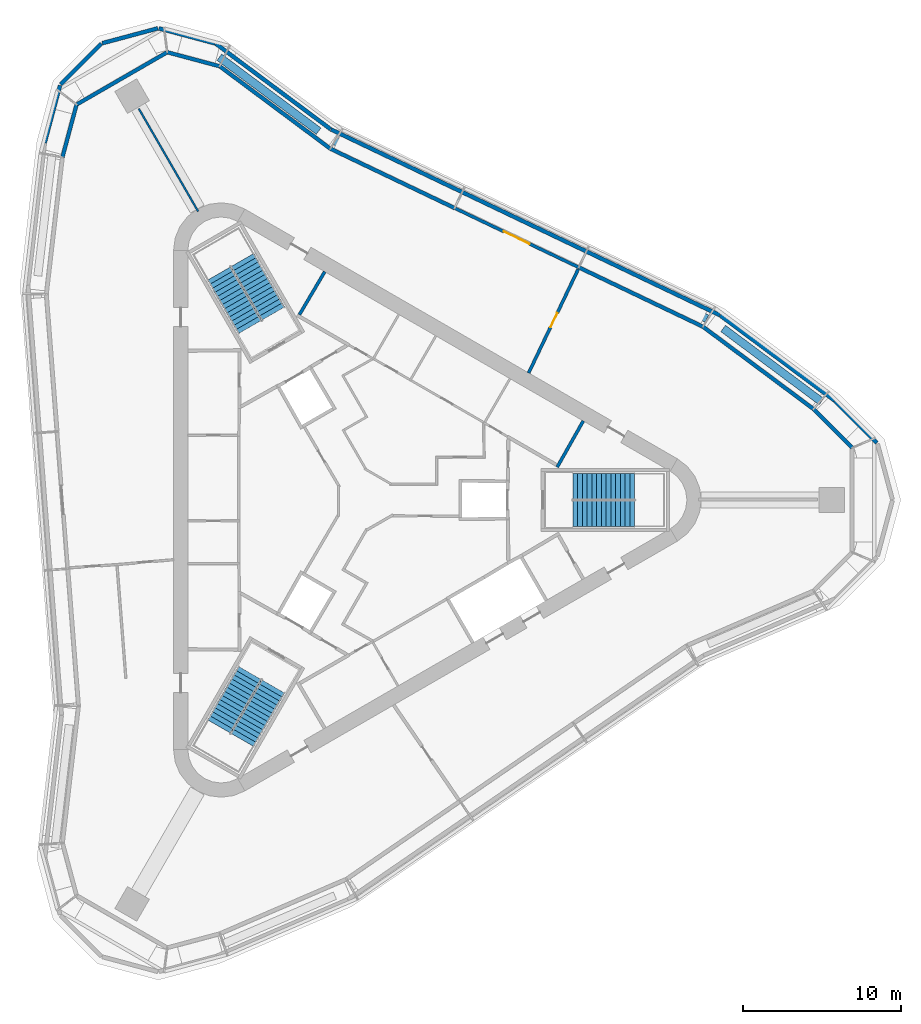
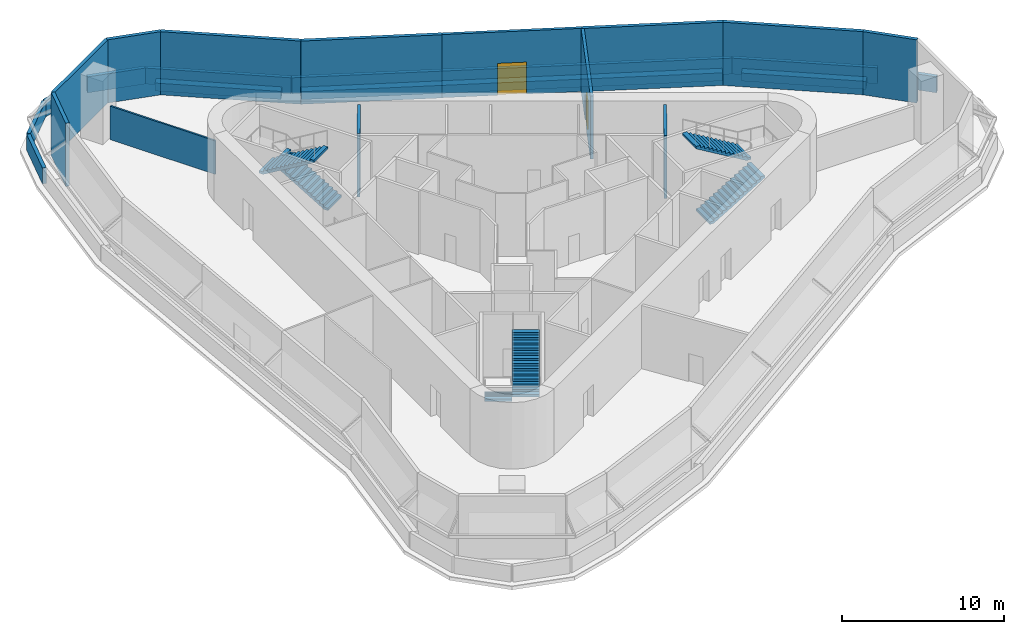
# One storey, part 7 of 8: 24 walls, 6 stair flights, 2 doors, 2 openings, 3 elements without a shape of their own.
"""IFC4 building model written with IfcOpenShell, lengths in metres."""

from ifc_helpers import new_model, si_unit, direction, frame, frame_2d, origin, place, context, subcontext, project, spatial, polyline, rectangle, outline, extrude, material, layer, layer_set, type_object, element, fill, aggregate, save


model = new_model("IFC4")

# Units and contexts
model_context = context("Model", 3, precision=1e-05, world=origin(), true_north=direction((0.0, 1.0)))
body_context = subcontext(model_context, "Body", "Model", "MODEL_VIEW")
ifc_project = project(units=[si_unit("LENGTHUNIT", "METRE"), si_unit("AREAUNIT", "SQUARE_METRE"), si_unit("VOLUMEUNIT", "CUBIC_METRE"), si_unit("PLANEANGLEUNIT", "RADIAN"), si_unit("MASSUNIT", "GRAM", prefix="KILO")], contexts=[model_context])

# Site, building, storey
site_placement = place(None, origin())
site = spatial("IfcSite", under=ifc_project, at=site_placement, CompositionType="ELEMENT")
building_placement = place(site_placement, origin())
building = spatial("IfcBuilding", under=site, at=building_placement, Name="Tanit Gate Tower", CompositionType="ELEMENT")
storey_placement = place(building_placement, frame((0.0, 0.0, 410.300048828125)))
storey = spatial("IfcBuildingStorey", under=building, at=storey_placement, Name="L93", CompositionType="ELEMENT", Elevation=410.300048828125)

# Wall, opening, door
ifc_material_1 = material(Name="Concrete C30/37 rendered", Category="concrete")
ifc_layer_1 = layer(ifc_material_1, 0.199951171875)
ifc_layer_set_1 = layer_set([ifc_layer_1], Name="Facade wall 200 rendered")
wall_type_1 = type_object("IfcWallType", Name="Facade wall 200 rendered", PredefinedType="SOLIDWALL", material=ifc_layer_set_1)
wall_1_placement = place(storey_placement, frame((13.46240234375, 14.68701171875, 0.0), z_axis=(0.0, 0.0, 1.0), x_axis=(-0.90232160158, 0.431063484098, 0.0)))
wall_1 = element("IfcWall", 1, at=wall_1_placement, inside=storey, type_object=wall_type_1, Name="Facade wall L93 NE2.2", PredefinedType="SOLIDWALL", context=body_context, shape_type="SweptSolid", body=[
    extrude(rectangle(XDim=8.661376953125, YDim=0.199951171875, at=frame_2d((4.33056640625, 0.0))), origin(), (0.0, 0.0, 1.0), 4.75),
])
opening_1_placement = place(wall_1_placement, frame((3.4306640625, 0.0, 0.0)))
opening_1 = element("IfcOpeningElement", 2, at=opening_1_placement, cuts=wall_1, Name="Opening D2", PredefinedType="OPENING", context=body_context, shape_type="SweptSolid", body=[
    extrude(rectangle(XDim=1.800048828125, YDim=2.39990234375, at=frame_2d((0.89990234375, 1.199951171875))), frame((0.0, 0.10986328125, 0.0), z_axis=(0.0, -1.0, 0.0), x_axis=(1.0, 0.0, 0.0)), (0.0, 0.0, 1.0), 0.219970703125),
])
ifc_material_2 = material(Name="Aluminium bronze anodised and glass", Category="aluminium")
door_type_1 = type_object("IfcDoorType", Name="Terrace door double 1800x2400", OperationType="DOUBLE_DOOR_SINGLE_SWING", PredefinedType="DOOR", material=ifc_material_2)
door_1_placement = place(opening_1_placement, frame((1.800048828125, 0.0, 0.0), z_axis=(0.0, 0.0, 1.0), x_axis=(-1.0, 0.0, 0.0)))
door_1 = element("IfcDoor", 3, at=door_1_placement, inside=storey, type_object=door_type_1, Name="Terrace door", OperationType="SINGLE_SWING_RIGHT", OverallHeight=2.39990234375, OverallWidth=1.800048828125, PredefinedType="DOOR", context=body_context, shape_type="SweptSolid", body=[
    extrude(rectangle(XDim=1.800048828125, YDim=2.39990234375, at=frame_2d((0.89990234375, 1.199951171875))), frame((0.0, 0.02490234375, 0.0), z_axis=(0.0, -1.0, 0.0), x_axis=(1.0, 0.0, 0.0)), (0.0, 0.0, 1.0), 0.050048828125),
])
fill(opening_1, door_1)

# Walls
ifc_material_3 = material(Name="Concrete C30/37 with bronze anodised aluminium cladding", Category="concrete")
ifc_layer_2 = layer(ifc_material_3, 0.239990234375)
ifc_layer_set_2 = layer_set([ifc_layer_2], Name="Facade wall bronze clad 240")
wall_type_2 = type_object("IfcWallType", Name="Facade wall bronze clad 240", PredefinedType="SOLIDWALL", material=ifc_layer_set_2)
wall_2_placement = place(storey_placement, frame((28.29150390625, 5.739013671875, 0.0), z_axis=(0.0, 0.0, 1.0), x_axis=(-0.801999064346, 0.597325288924, 0.0)))
element("IfcWall", 4, at=wall_2_placement, inside=storey, type_object=wall_type_2, Name="Bronze-clad facade wall L93 NE1", PredefinedType="SOLIDWALL", context=body_context, shape_type="SweptSolid", body=[
    extrude(rectangle(XDim=8.700439453125, YDim=0.239990234375, at=frame_2d((4.35009765625, 0.0))), origin(), (0.0, 0.0, 1.0), 4.75),
])
for number, where, z_axis, x_axis, name in (
    (5, (21.313720703125, 10.93603515625, 0.0), (0.0, 0.0, 1.0), (-0.902313153222, 0.431081168137, 0.0), "Bronze-clad facade wall L93 NE2a"),
    (6, (5.64697265625, 18.420654296875, 0.0), (0.0, 0.0, 1.0), (-0.902313153222, 0.431081168137, 0.0), "Bronze-clad facade wall L93 NE2b"),
):
    element("IfcWall", number, at=place(storey_placement, frame(where, z_axis=z_axis, x_axis=x_axis)), inside=storey, type_object=wall_type_2, Name=name, PredefinedType="SOLIDWALL", context=body_context, shape_type="SweptSolid", body=[
        extrude(rectangle(XDim=8.701416015625, YDim=0.239990234375, at=frame_2d((4.3505859375, 0.0))), origin(), (0.0, 0.0, 1.0), 4.75),
    ])
wall_3_placement = place(storey_placement, frame((-2.204345703125, 22.171630859375, 0.0), z_axis=(0.0, 0.0, 1.0), x_axis=(-0.801990253483, 0.597337118651, 0.0)))
element("IfcWall", 7, at=wall_3_placement, inside=storey, type_object=wall_type_2, Name="Bronze-clad facade wall L93 NE3", PredefinedType="SOLIDWALL", context=body_context, shape_type="SweptSolid", body=[
    extrude(rectangle(XDim=8.709716796875, YDim=0.239990234375, at=frame_2d((4.35498046875, 0.0))), origin(), (0.0, 0.0, 1.0), 4.75),
])
wall_4_placement = place(storey_placement, frame((-9.189453125, 27.374267578125, 0.0), z_axis=(0.0, 0.0, 1.0), x_axis=(-0.965922313032, 0.2588321564, 0.0)))
element("IfcWall", 8, at=wall_4_placement, inside=storey, type_object=wall_type_2, Name="Bronze-clad facade wall L93 NW.arc1", PredefinedType="SOLIDWALL", context=body_context, shape_type="SweptSolid", body=[
    extrude(rectangle(XDim=3.4296875, YDim=0.239990234375, at=frame_2d((1.71484375, 0.0))), origin(), (0.0, 0.0, 1.0), 4.75),
])
wall_5_placement = place(storey_placement, frame((-12.502197265625, 28.261962890625, 0.0), z_axis=(0.0, 0.0, 1.0), x_axis=(-0.866008373729, -0.500029495762, 0.0)))
element("IfcWall", 9, at=wall_5_placement, inside=storey, type_object=wall_type_2, Name="Bronze-clad facade wall L93 NW.arc2", PredefinedType="SOLIDWALL", context=body_context, shape_type="SweptSolid", body=[
    extrude(rectangle(XDim=6.607421875, YDim=0.239990234375, at=frame_2d((3.3037109375, 0.0))), origin(), (0.0, 0.0, 1.0), 4.75),
])
for number, where, z_axis, x_axis, name in (
    (10, (-18.224365234375, 24.9580078125, 0.0), (0.0, 0.0, 1.0), (-0.258831761554, -0.965922418836, 0.0), "Bronze-clad facade wall L93 NW.arc3"),
    (11, (30.7265625, 3.3037109375, 0.0), (0.0, 0.0, 1.0), (-0.707071334573, 0.707142226024, 0.0), "Bronze-clad facade wall L93 E.arc3"),
):
    element("IfcWall", number, at=place(storey_placement, frame(where, z_axis=z_axis, x_axis=x_axis)), inside=storey, type_object=wall_type_2, Name=name, PredefinedType="SOLIDWALL", context=body_context, shape_type="SweptSolid", body=[
        extrude(rectangle(XDim=3.44384765625, YDim=0.239990234375, at=frame_2d((1.721923828125, 0.0))), origin(), (0.0, 0.0, 1.0), 4.75),
    ])
ifc_material_4 = material(Name="Fire-rated gypsum board partition")
ifc_layer_3 = layer(ifc_material_4, 0.199951171875)
ifc_layer_set_3 = layer_set([ifc_layer_3], Name="INT-WALL-COMPARTMENT")
wall_type_3 = type_object("IfcWallType", Name="INT-WALL-COMPARTMENT", PredefinedType="PARTITIONING", material=ifc_layer_set_3)
wall_6_placement = place(storey_placement, frame((12.10986328125, 2.07275390625, 0.0), z_axis=(0.0, 0.0, 1.0), x_axis=(0.49196600604, 0.870614408852, 0.0)))
element("IfcWall", 12, at=wall_6_placement, inside=storey, type_object=wall_type_3, Name="Wall Compartment W045", PredefinedType="PARTITIONING", context=body_context, shape_type="SweptSolid", body=[
    extrude(rectangle(XDim=3.35009765625, YDim=0.199951171875, at=frame_2d((1.675048828125, 0.0))), origin(), (0.0, 0.0, 1.0), 4.75),
])
wall_7_placement = place(storey_placement, frame((-2.557861328125, 14.409423828125, 0.0), z_axis=(0.0, 0.0, 1.0), x_axis=(-0.508018930956, -0.861345903683, 0.0)))
element("IfcWall", 13, at=wall_7_placement, inside=storey, type_object=wall_type_3, Name="Wall Compartment W053", PredefinedType="PARTITIONING", context=body_context, shape_type="SweptSolid", body=[
    extrude(rectangle(XDim=3.150146484375, YDim=0.199951171875, at=frame_2d((1.5751953125, 0.0))), origin(), (0.0, 0.0, 1.0), 4.75),
])

# Wall, opening, door
wall_8_placement = place(storey_placement, frame((10.31005859375, 8.019287109375, 0.0), z_axis=(0.0, 0.0, 1.0), x_axis=(0.431086090509, 0.902310801537, 0.0)))
wall_8 = element("IfcWall", 14, at=wall_8_placement, inside=storey, type_object=wall_type_3, Name="Wall Compartment W091", PredefinedType="PARTITIONING", context=body_context, shape_type="SweptSolid", body=[
    extrude(rectangle(XDim=7.250244140625, YDim=0.199951171875, at=frame_2d((3.625, 0.0))), origin(), (0.0, 0.0, 1.0), 4.75),
])
opening_2_placement = place(wall_8_placement, frame((3.199951171875, 0.0, 0.0)))
opening_2 = element("IfcOpeningElement", 15, at=opening_2_placement, cuts=wall_8, Name="Opening F10-93-24", PredefinedType="OPENING", context=body_context, shape_type="SweptSolid", body=[
    extrude(rectangle(XDim=1.0, YDim=2.10009765625, at=frame_2d((0.5, 1.050048828125))), frame((0.0, 0.10986328125, 0.0), z_axis=(0.0, -1.0, 0.0), x_axis=(1.0, 0.0, 0.0)), (0.0, 0.0, 1.0), 0.219970703125),
])
ifc_material_5 = material(Name="Fire-rated steel door leaf", Category="steel")
door_type_2 = type_object("IfcDoorType", Name="INT-DOOR-FIRE-1000", OperationType="NOTDEFINED", PredefinedType="USERDEFINED", material=ifc_material_5)
door_2_placement = place(opening_2_placement, origin())
door_2 = element("IfcDoor", 16, at=door_2_placement, inside=storey, type_object=door_type_2, Name="Door F10-93-24", ObjectType="FIRE DOOR", OperationType="SINGLE_SWING_RIGHT", OverallHeight=2.10009765625, OverallWidth=1.0, PredefinedType="USERDEFINED", context=body_context, shape_type="SweptSolid", body=[
    extrude(rectangle(XDim=1.0, YDim=2.10009765625, at=frame_2d((0.5, 1.050048828125))), frame((0.0, 0.02490234375, 0.0), z_axis=(0.0, -1.0, 0.0), x_axis=(1.0, 0.0, 0.0)), (0.0, 0.0, 1.0), 0.050048828125),
])
fill(opening_2, door_2)

# Walls
ifc_material_6 = material(Name="Gypsum board partition")
ifc_layer_4 = layer(ifc_material_6, 0.1201171875)
ifc_layer_set_4 = layer_set([ifc_layer_4], Name="INT-WALL-PARTITION")
wall_type_4 = type_object("IfcWallType", Name="INT-WALL-PARTITION", PredefinedType="PARTITIONING", material=ifc_layer_set_4)
wall_9_placement = place(storey_placement, frame((-10.549072265625, 18.211669921875, 0.0), z_axis=(0.0, 0.0, 1.0), x_axis=(-0.499998974385, 0.866025995923, 0.0)))
element("IfcWall", 17, at=wall_9_placement, inside=storey, type_object=wall_type_4, Name="Wall Partition W089", PredefinedType="PARTITIONING", context=body_context, shape_type="SweptSolid", body=[
    extrude(rectangle(XDim=7.48974609375, YDim=0.1201171875, at=frame_2d((3.744873046875, 0.0))), origin(), (0.0, 0.0, 1.0), 2.52001953125),
])
ifc_material_7 = material(Name="Concrete C30/37", Category="concrete")
ifc_layer_5 = layer(ifc_material_7, 0.25)
ifc_layer_set_5 = layer_set([ifc_layer_5], Name="Parapet wall 250")
wall_type_5 = type_object("IfcWallType", Name="Parapet wall 250", PredefinedType="PARAPET", material=ifc_layer_set_5)
wall_10_placement = place(storey_placement, frame((29.63818359375, 6.258544921875, 0.0400390625), z_axis=(0.0, 0.0, 1.0), x_axis=(0.707139259738, -0.707074301143, 0.0)))
element("IfcWall", 18, at=wall_10_placement, inside=storey, type_object=wall_type_5, Name="Terrace parapet L93 1", PredefinedType="PARAPET", context=body_context, shape_type="SweptSolid", body=[
    extrude(rectangle(XDim=3.75830078125, YDim=0.25, at=frame_2d((1.879150390625, 0.0))), origin(), (0.0, 0.0, 1.0), 1.199951171875),
])
wall_11_placement = place(storey_placement, frame((-20.2392578125, 22.5380859375, 0.0400390625), z_axis=(0.0, 0.0, 1.0), x_axis=(0.258855136346, 0.965916154947, 0.0)))
element("IfcWall", 19, at=wall_11_placement, inside=storey, type_object=wall_type_5, Name="Terrace parapet L93 15", PredefinedType="PARAPET", context=body_context, shape_type="SweptSolid", body=[
    extrude(rectangle(XDim=3.758544921875, YDim=0.25, at=frame_2d((1.87939453125, 0.0))), origin(), (0.0, 0.0, 1.0), 1.199951171875),
])
wall_12_placement = place(storey_placement, frame((-19.234130859375, 26.224609375, 0.0400390625), z_axis=(0.0, 0.0, 1.0), x_axis=(0.707106781187, 0.707106781187, 0.0)))
element("IfcWall", 20, at=wall_12_placement, inside=storey, type_object=wall_type_5, Name="Terrace parapet L93 16", PredefinedType="PARAPET", context=body_context, shape_type="SweptSolid", body=[
    extrude(rectangle(XDim=3.63623046875, YDim=0.25, at=frame_2d((1.818115234375, 0.0))), origin(), (0.0, 0.0, 1.0), 1.199951171875),
])
wall_13_placement = place(storey_placement, frame((-16.606689453125, 28.828369140625, 0.0400390625), z_axis=(0.0, 0.0, 1.0), x_axis=(0.965925575047, 0.258819982749, 0.0)))
element("IfcWall", 21, at=wall_13_placement, inside=storey, type_object=wall_type_5, Name="Terrace parapet L93 17", PredefinedType="PARAPET", context=body_context, shape_type="SweptSolid", body=[
    extrude(rectangle(XDim=3.636474609375, YDim=0.25, at=frame_2d((1.818359375, 0.0))), origin(), (0.0, 0.0, 1.0), 1.199951171875),
])
wall_14_placement = place(storey_placement, frame((-13.029296875, 29.76953125, 0.0400390625), z_axis=(0.0, 0.0, 1.0), x_axis=(0.965919653646, -0.258842080622, 0.0)))
element("IfcWall", 22, at=wall_14_placement, inside=storey, type_object=wall_type_5, Name="Terrace parapet L93 18", PredefinedType="PARAPET", context=body_context, shape_type="SweptSolid", body=[
    extrude(rectangle(XDim=3.68408203125, YDim=0.25, at=frame_2d((1.842041015625, 0.0))), origin(), (0.0, 0.0, 1.0), 1.199951171875),
])
wall_15_placement = place(storey_placement, frame((-9.428466796875, 28.79541015625, 0.0400390625), z_axis=(0.0, 0.0, 1.0), x_axis=(0.802000939448, -0.597322771309, 0.0)))
element("IfcWall", 23, at=wall_15_placement, inside=storey, type_object=wall_type_5, Name="Terrace parapet L93 19", PredefinedType="PARAPET", context=body_context, shape_type="SweptSolid", body=[
    extrude(rectangle(XDim=9.0283203125, YDim=0.25, at=frame_2d((4.51416015625, 0.0))), origin(), (0.0, 0.0, 1.0), 1.199951171875),
])
wall_16_placement = place(storey_placement, frame((-2.1669921875, 23.39013671875, 0.0400390625), z_axis=(0.0, 0.0, 1.0), x_axis=(0.902316071354, -0.431075060026, 0.0)))
element("IfcWall", 24, at=wall_16_placement, inside=storey, type_object=wall_type_5, Name="Terrace parapet L93 20", PredefinedType="PARAPET", context=body_context, shape_type="SweptSolid", body=[
    extrude(rectangle(XDim=27.20654296875, YDim=0.25, at=frame_2d((13.603271484375, 0.0))), origin(), (0.0, 0.0, 1.0), 1.199951171875),
])
wall_17_placement = place(storey_placement, frame((22.40283203125, 11.6494140625, 0.0400390625), z_axis=(0.0, 0.0, 1.0), x_axis=(0.801986734315, -0.597341843489, 0.0)))
element("IfcWall", 25, at=wall_17_placement, inside=storey, type_object=wall_type_5, Name="Terrace parapet L93 21", PredefinedType="PARAPET", context=body_context, shape_type="SweptSolid", body=[
    extrude(rectangle(XDim=9.004638671875, YDim=0.25, at=frame_2d((4.50244140625, 0.0))), origin(), (0.0, 0.0, 1.0), 1.199951171875),
])
ifc_material_8 = material(Name="Concrete C30/37", Category="concrete")
ifc_layer_6 = layer(ifc_material_8, 0.5)
ifc_layer_set_6 = layer_set([ifc_layer_6], Name="Planter box 600")
wall_type_6 = type_object("IfcWallType", Name="Planter box 600", PredefinedType="PARAPET", material=ifc_layer_set_6)
wall_18_placement = place(storey_placement, frame((-9.21044921875, 27.947265625, 0.0400390625), z_axis=(0.0, 0.0, 1.0), x_axis=(0.801990554346, -0.59733671471, 0.0)))
element("IfcWall", 26, at=wall_18_placement, inside=storey, type_object=wall_type_6, Name="PLANTER", PredefinedType="PARAPET", context=body_context, shape_type="SweptSolid", body=[
    extrude(rectangle(XDim=7.8125, YDim=0.5, at=frame_2d((3.90625, 0.0))), origin(), (0.0, 0.0, 1.0), 0.599853515625),
])
wall_19_placement = place(storey_placement, frame((-1.922119140625, 22.66357421875, 0.0400390625), z_axis=(0.0, 0.0, 1.0), x_axis=(0.902313179427, -0.431081113287, 0.0)))
element("IfcWall", 27, at=wall_19_placement, inside=storey, type_object=wall_type_6, Name="PLANTER", PredefinedType="PARAPET", context=body_context, shape_type="SweptSolid", body=[
    extrude(rectangle(XDim=26.031005859375, YDim=0.5, at=frame_2d((13.015625, 0.0))), origin(), (0.0, 0.0, 1.0), 0.599853515625),
])
wall_20_placement = place(storey_placement, frame((22.588623046875, 10.8251953125, 0.0400390625), z_axis=(0.0, 0.0, 1.0), x_axis=(0.801992262908, -0.597334420769, 0.0)))
element("IfcWall", 28, at=wall_20_placement, inside=storey, type_object=wall_type_6, Name="PLANTER", PredefinedType="PARAPET", context=body_context, shape_type="SweptSolid", body=[
    extrude(rectangle(XDim=7.732421875, YDim=0.5, at=frame_2d((3.8662109375, 0.0))), origin(), (0.0, 0.0, 1.0), 0.599853515625),
])

# Stair, stair flights
ifc_material_9 = material(Name="Concrete C40/50", Category="concrete")
stair_type = type_object("IfcStairType", Name="INT-STAIR-EXIT", PredefinedType="HALF_TURN_STAIR", material=ifc_material_9)
stair_1_placement = place(storey_placement, origin())
stair_1 = element("IfcStair", 29, at=stair_1_placement, inside=storey, type_object=stair_type, Name="L93 STAIR S1", PredefinedType="HALF_TURN_STAIR")
ifc_material_10 = material(Name="Concrete C40/50", Category="concrete")
stair_flight_type = type_object("IfcStairFlightType", Name="INT-STAIR-FLIGHT", PredefinedType="STRAIGHT", material=ifc_material_10)
stair_flight_1_placement = place(storey_placement, frame((13.094970703125, -0.8525390625, 0.0), z_axis=(0.0, 0.0, 1.0), x_axis=(1.0, 0.0, 0.0)))
stair_flight_1 = element("IfcStairFlight", 30, at=stair_flight_1_placement, type_object=stair_flight_type, Name="S1 flight 1", NumberOfRisers=14, NumberOfTreads=13, PredefinedType="STRAIGHT", RiserHeight=0.178571429, TreadLength=0.3, context=body_context, shape_type="SweptSolid", body=[
    extrude(outline(polyline([(0.0, 0.0), (0.0, 0.178466796875), (0.300048828125, 0.178466796875), (0.300048828125, 0.357177734375), (0.60009765625, 0.357177734375), (0.60009765625, 0.53564453125), (0.89990234375, 0.53564453125), (0.89990234375, 0.71435546875), (1.199951171875, 0.71435546875), (1.199951171875, 0.892822265625), (1.5, 0.892822265625), (1.5, 1.071533203125), (1.800048828125, 1.071533203125), (1.800048828125, 1.25), (2.10009765625, 1.25), (2.10009765625, 1.428466796875), (2.39990234375, 1.428466796875), (2.39990234375, 1.607177734375), (2.699951171875, 1.607177734375), (2.699951171875, 1.78564453125), (3.0, 1.78564453125), (3.0, 1.96435546875), (3.300048828125, 1.96435546875), (3.300048828125, 2.142822265625), (3.60009765625, 2.142822265625), (3.60009765625, 2.321533203125), (3.89990234375, 2.321533203125), (3.89990234375, 2.5), (3.89990234375, 2.14697265625), (0.29296875, 0.0), (0.0, 0.0)])), frame((0.0, 0.84765625, 0.0), z_axis=(0.0, -1.0, 0.0), x_axis=(1.0, 0.0, 0.0)), (0.0, 0.0, 1.0), 1.695068359375),
])
stair_flight_2_placement = place(storey_placement, frame((16.9951171875, 0.8525390625, 2.5), z_axis=(0.0, 0.0, 1.0), x_axis=(-1.0, 0.0, 0.0)))
stair_flight_2 = element("IfcStairFlight", 31, at=stair_flight_2_placement, type_object=stair_flight_type, Name="S1 flight 2", NumberOfRisers=14, NumberOfTreads=13, PredefinedType="STRAIGHT", RiserHeight=0.178571429, TreadLength=0.3, context=body_context, shape_type="SweptSolid", body=[
    extrude(outline(polyline([(0.0, 0.0), (0.0, 0.178466796875), (0.300048828125, 0.178466796875), (0.300048828125, 0.357177734375), (0.60009765625, 0.357177734375), (0.60009765625, 0.53564453125), (0.89990234375, 0.53564453125), (0.89990234375, 0.71435546875), (1.199951171875, 0.71435546875), (1.199951171875, 0.892822265625), (1.5, 0.892822265625), (1.5, 1.071533203125), (1.800048828125, 1.071533203125), (1.800048828125, 1.25), (2.10009765625, 1.25), (2.10009765625, 1.428466796875), (2.39990234375, 1.428466796875), (2.39990234375, 1.607177734375), (2.699951171875, 1.607177734375), (2.699951171875, 1.78564453125), (3.0, 1.78564453125), (3.0, 1.96435546875), (3.300048828125, 1.96435546875), (3.300048828125, 2.142822265625), (3.60009765625, 2.142822265625), (3.60009765625, 2.321533203125), (3.89990234375, 2.321533203125), (3.89990234375, 2.5), (3.89990234375, 2.14697265625), (0.29296875, 0.0), (0.0, 0.0)])), frame((0.0, 0.84765625, 0.0), z_axis=(0.0, -1.0, 0.0), x_axis=(1.0, 0.0, 0.0)), (0.0, 0.0, 1.0), 1.695068359375),
])
aggregate(stair_1, [stair_flight_1, stair_flight_2])

stair_2_placement = place(storey_placement, origin())
stair_2 = element("IfcStair", 32, at=stair_2_placement, inside=storey, type_object=stair_type, Name="L93 STAIR S2", PredefinedType="HALF_TURN_STAIR")
stair_flight_3_placement = place(storey_placement, frame((-5.808349609375, 11.766357421875, 0.0), z_axis=(0.0, 0.0, 1.0), x_axis=(-0.5, 0.866025403784, 0.0)))
stair_flight_3 = element("IfcStairFlight", 33, at=stair_flight_3_placement, type_object=stair_flight_type, Name="S2 flight 1", NumberOfRisers=14, NumberOfTreads=13, PredefinedType="STRAIGHT", RiserHeight=0.178571429, TreadLength=0.3, context=body_context, shape_type="SweptSolid", body=[
    extrude(outline(polyline([(0.0, 0.0), (0.0, 0.178466796875), (0.300048828125, 0.178466796875), (0.300048828125, 0.357177734375), (0.60009765625, 0.357177734375), (0.60009765625, 0.53564453125), (0.89990234375, 0.53564453125), (0.89990234375, 0.71435546875), (1.199951171875, 0.71435546875), (1.199951171875, 0.892822265625), (1.5, 0.892822265625), (1.5, 1.071533203125), (1.800048828125, 1.071533203125), (1.800048828125, 1.25), (2.10009765625, 1.25), (2.10009765625, 1.428466796875), (2.39990234375, 1.428466796875), (2.39990234375, 1.607177734375), (2.699951171875, 1.607177734375), (2.699951171875, 1.78564453125), (3.0, 1.78564453125), (3.0, 1.96435546875), (3.300048828125, 1.96435546875), (3.300048828125, 2.142822265625), (3.60009765625, 2.142822265625), (3.60009765625, 2.321533203125), (3.89990234375, 2.321533203125), (3.89990234375, 2.5), (3.89990234375, 2.14697265625), (0.29296875, 0.0), (0.0, 0.0)])), frame((0.0, 0.84716796875, 0.0), z_axis=(0.0, -1.0, 0.0), x_axis=(1.0, 0.0, 0.0)), (0.0, 0.0, 1.0), 1.694091796875),
])
stair_flight_4_placement = place(storey_placement, frame((-9.23583984375, 14.290771484375, 2.5), z_axis=(0.0, 0.0, 1.0), x_axis=(0.5, -0.866025403784, 0.0)))
stair_flight_4 = element("IfcStairFlight", 34, at=stair_flight_4_placement, type_object=stair_flight_type, Name="S2 flight 2", NumberOfRisers=14, NumberOfTreads=13, PredefinedType="STRAIGHT", RiserHeight=0.178571429, TreadLength=0.3, context=body_context, shape_type="SweptSolid", body=[
    extrude(outline(polyline([(0.0, 0.0), (0.0, 0.178466796875), (0.300048828125, 0.178466796875), (0.300048828125, 0.357177734375), (0.60009765625, 0.357177734375), (0.60009765625, 0.53564453125), (0.89990234375, 0.53564453125), (0.89990234375, 0.71435546875), (1.199951171875, 0.71435546875), (1.199951171875, 0.892822265625), (1.5, 0.892822265625), (1.5, 1.071533203125), (1.800048828125, 1.071533203125), (1.800048828125, 1.25), (2.10009765625, 1.25), (2.10009765625, 1.428466796875), (2.39990234375, 1.428466796875), (2.39990234375, 1.607177734375), (2.699951171875, 1.607177734375), (2.699951171875, 1.78564453125), (3.0, 1.78564453125), (3.0, 1.96435546875), (3.300048828125, 1.96435546875), (3.300048828125, 2.142822265625), (3.60009765625, 2.142822265625), (3.60009765625, 2.321533203125), (3.89990234375, 2.321533203125), (3.89990234375, 2.5), (3.89990234375, 2.14697265625), (0.29296875, 0.0), (0.0, 0.0)])), frame((0.0, 0.84716796875, 0.0), z_axis=(0.0, -1.0, 0.0), x_axis=(1.0, 0.0, 0.0)), (0.0, 0.0, 1.0), 1.694091796875),
])
aggregate(stair_2, [stair_flight_3, stair_flight_4])

stair_3_placement = place(storey_placement, origin())
stair_3 = element("IfcStair", 35, at=stair_3_placement, inside=storey, type_object=stair_type, Name="L93 STAIR S3", PredefinedType="HALF_TURN_STAIR")
stair_flight_5_placement = place(storey_placement, frame((-7.285888671875, -10.914306640625, 0.0), z_axis=(0.0, 0.0, 1.0), x_axis=(-0.5, -0.866025403784, 0.0)))
stair_flight_5 = element("IfcStairFlight", 36, at=stair_flight_5_placement, type_object=stair_flight_type, Name="S3 flight 1", NumberOfRisers=14, NumberOfTreads=13, PredefinedType="STRAIGHT", RiserHeight=0.178571429, TreadLength=0.3, context=body_context, shape_type="SweptSolid", body=[
    extrude(outline(polyline([(0.0, 0.0), (0.0, 0.178466796875), (0.300048828125, 0.178466796875), (0.300048828125, 0.357177734375), (0.60009765625, 0.357177734375), (0.60009765625, 0.53564453125), (0.89990234375, 0.53564453125), (0.89990234375, 0.71435546875), (1.199951171875, 0.71435546875), (1.199951171875, 0.892822265625), (1.5, 0.892822265625), (1.5, 1.071533203125), (1.800048828125, 1.071533203125), (1.800048828125, 1.25), (2.10009765625, 1.25), (2.10009765625, 1.428466796875), (2.39990234375, 1.428466796875), (2.39990234375, 1.607177734375), (2.699951171875, 1.607177734375), (2.699951171875, 1.78564453125), (3.0, 1.78564453125), (3.0, 1.96435546875), (3.300048828125, 1.96435546875), (3.300048828125, 2.142822265625), (3.60009765625, 2.142822265625), (3.60009765625, 2.321533203125), (3.89990234375, 2.321533203125), (3.89990234375, 2.5), (3.89990234375, 2.14697265625), (0.29296875, 0.0), (0.0, 0.0)])), frame((0.0, 0.84765625, 0.0), z_axis=(0.0, -1.0, 0.0), x_axis=(1.0, 0.0, 0.0)), (0.0, 0.0, 1.0), 1.695068359375),
])
stair_flight_6_placement = place(storey_placement, frame((-7.75927734375, -15.144287109375, 2.5), z_axis=(0.0, 0.0, 1.0), x_axis=(0.5, 0.866025403784, 0.0)))
stair_flight_6 = element("IfcStairFlight", 37, at=stair_flight_6_placement, type_object=stair_flight_type, Name="S3 flight 2", NumberOfRisers=14, NumberOfTreads=13, PredefinedType="STRAIGHT", RiserHeight=0.178571429, TreadLength=0.3, context=body_context, shape_type="SweptSolid", body=[
    extrude(outline(polyline([(0.0, 0.0), (0.0, 0.178466796875), (0.300048828125, 0.178466796875), (0.300048828125, 0.357177734375), (0.60009765625, 0.357177734375), (0.60009765625, 0.53564453125), (0.89990234375, 0.53564453125), (0.89990234375, 0.71435546875), (1.199951171875, 0.71435546875), (1.199951171875, 0.892822265625), (1.5, 0.892822265625), (1.5, 1.071533203125), (1.800048828125, 1.071533203125), (1.800048828125, 1.25), (2.10009765625, 1.25), (2.10009765625, 1.428466796875), (2.39990234375, 1.428466796875), (2.39990234375, 1.607177734375), (2.699951171875, 1.607177734375), (2.699951171875, 1.78564453125), (3.0, 1.78564453125), (3.0, 1.96435546875), (3.300048828125, 1.96435546875), (3.300048828125, 2.142822265625), (3.60009765625, 2.142822265625), (3.60009765625, 2.321533203125), (3.89990234375, 2.321533203125), (3.89990234375, 2.5), (3.89990234375, 2.14697265625), (0.29296875, 0.0), (0.0, 0.0)])), frame((0.0, 0.84765625, 0.0), z_axis=(0.0, -1.0, 0.0), x_axis=(1.0, 0.0, 0.0)), (0.0, 0.0, 1.0), 1.695068359375),
])
aggregate(stair_3, [stair_flight_5, stair_flight_6])

save(model, "model.ifc")
